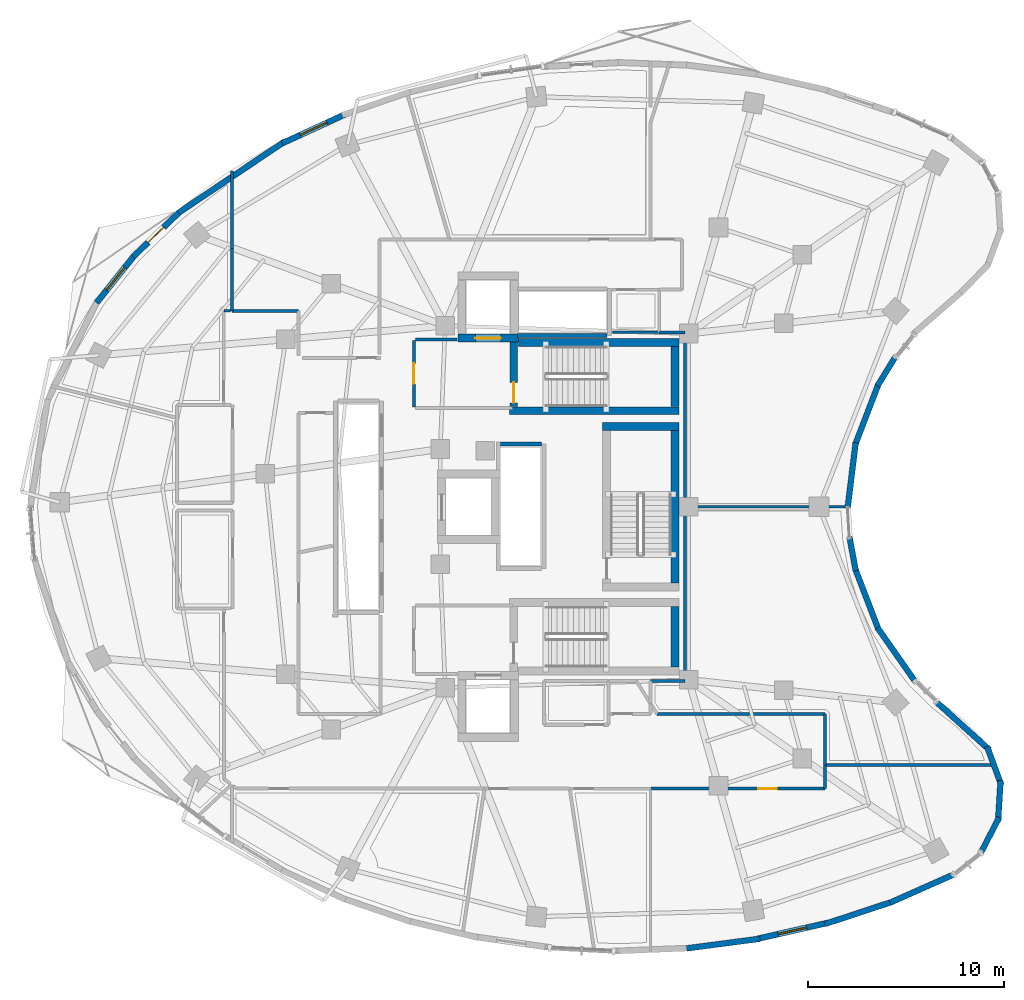
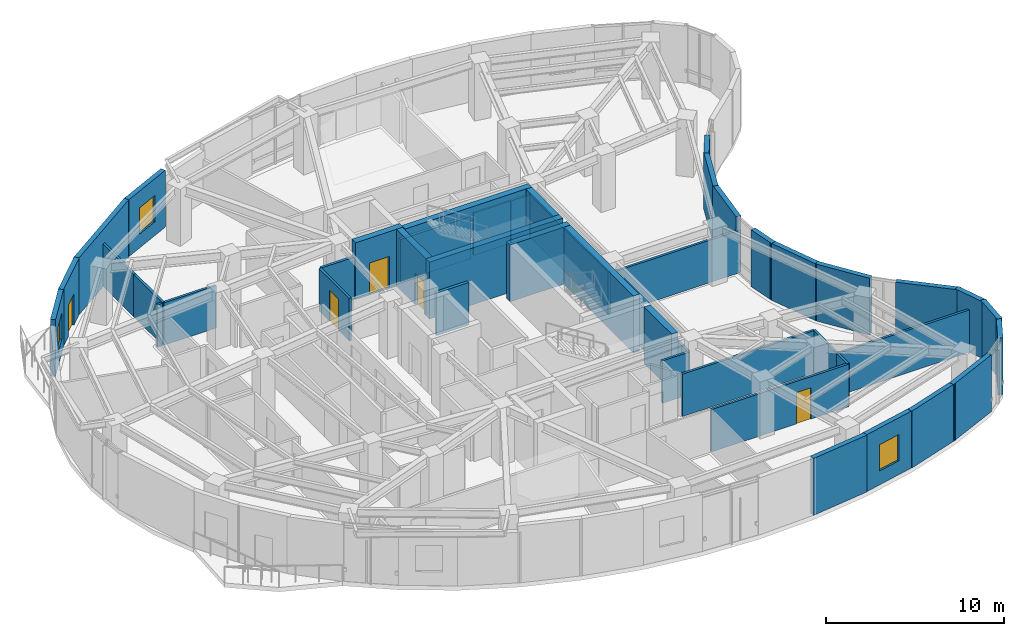
# One storey, part 10 of 15: 45 walls, 5 doors, 3 windows, 8 openings.
"""IFC4 building model written with IfcOpenShell, lengths in metres."""

from ifc_helpers import new_model, si_unit, direction, frame, frame_2d, origin, place, context, subcontext, project, spatial, rectangle, extrude, material, layer, layer_set, type_object, element, fill, save


model = new_model("IFC4")

# Units and contexts
model_context = context("Model", 3, precision=1e-05, world=origin(), true_north=direction((0.0, 1.0)))
body_context = subcontext(model_context, "Body", "Model", "MODEL_VIEW")
ifc_project = project(units=[si_unit("LENGTHUNIT", "METRE"), si_unit("AREAUNIT", "SQUARE_METRE"), si_unit("VOLUMEUNIT", "CUBIC_METRE"), si_unit("PLANEANGLEUNIT", "RADIAN"), si_unit("MASSUNIT", "GRAM", prefix="KILO")], contexts=[model_context])

# Site, building, storey
site_placement = place(None, origin())
site = spatial("IfcSite", under=ifc_project, at=site_placement, CompositionType="ELEMENT")
building_placement = place(site_placement, origin())
building = spatial("IfcBuilding", under=site, at=building_placement, Name="Korentha Bioscience Tower", CompositionType="ELEMENT")
storey_placement = place(building_placement, frame((0.0, 0.0, 235.199951171875)))
storey = spatial("IfcBuildingStorey", under=building, at=storey_placement, Name="L54", CompositionType="ELEMENT", Elevation=235.199951171875)

# Wall, opening, door
ifc_material_1 = material(Name="Double-Stud Acoustic Gypsum", Category="gypsum")
ifc_layer_1 = layer(ifc_material_1, 0.14990234375, Name="Double-Stud Acoustic Gypsum")
ifc_layer_set_1 = layer_set([ifc_layer_1], Name="Double-Stud Acoustic Gypsum (IW-L150)")
wall_type_1 = type_object("IfcWallType", Name="Acoustic Laboratory Partition Wall 150", PredefinedType="PARTITIONING", material=ifc_layer_set_1)
wall_1_placement = place(storey_placement, frame((35.60791015625, 12.590087890625, 0.0), z_axis=(0.0, 0.0, 1.0), x_axis=(1.0, 0.0, 0.0)))
wall_1 = element("IfcWall", 1, at=wall_1_placement, inside=storey, type_object=wall_type_1, Name="L54 Scientific Writing Quiet Alcove 06 Entrance Wall", PredefinedType="PARTITIONING", context=body_context, shape_type="SweptSolid", body=[
    extrude(rectangle(XDim=8.89208984375, YDim=0.14990234375, at=frame_2d((4.446044921875, 0.0))), origin(), (0.0, 0.0, 1.0), 2.91015625),
])
opening_1_placement = place(wall_1_placement, frame((5.485107421875, 0.0, 0.0)))
opening_1 = element("IfcOpeningElement", 2, at=opening_1_placement, cuts=wall_1, Name="Opening ID-10R", PredefinedType="OPENING", context=body_context, shape_type="SweptSolid", body=[
    extrude(rectangle(XDim=0.949951171875, YDim=2.14990234375, at=frame_2d((0.47509765625, 1.074951171875))), frame((0.0, 0.08984375, 0.0), z_axis=(0.0, -1.0, 0.0), x_axis=(1.0, 0.0, 0.0)), (0.0, 0.0, 1.0), 0.1796875),
])
ifc_material_2 = material(Name="Phenolic Laminate Timber Core", Category="wood")
door_type_1 = type_object("IfcDoorType", Name="Laboratory Single Leaf Door 950x2150 Right", OperationType="SINGLE_SWING_RIGHT", PredefinedType="DOOR", material=ifc_material_2)
door_1_placement = place(opening_1_placement, origin())
door_1 = element("IfcDoor", 3, at=door_1_placement, inside=storey, type_object=door_type_1, Name="L54 Scientific Writing Quiet Alcove 06 Door", OperationType="SINGLE_SWING_RIGHT", OverallHeight=2.14990234375, OverallWidth=0.949951171875, PredefinedType="DOOR", context=body_context, shape_type="SweptSolid", body=[
    extrude(rectangle(XDim=0.949951171875, YDim=2.14990234375, at=frame_2d((0.47509765625, 1.074951171875))), frame((0.0, 0.02490234375, 0.0), z_axis=(0.0, -1.0, 0.0), x_axis=(1.0, 0.0, 0.0)), (0.0, 0.0, 1.0), 0.050048828125),
])
fill(opening_1, door_1)

# Walls
wall_2_placement = place(storey_placement, frame((44.510009765625, 12.60009765625, 0.0), z_axis=(0.0, 0.0, 1.0), x_axis=(0.0, 1.0, 0.0)))
element("IfcWall", 4, at=wall_2_placement, inside=storey, type_object=wall_type_1, Name="L54 Interior Partition 044", PredefinedType="PARTITIONING", context=body_context, shape_type="SweptSolid", body=[
    extrude(rectangle(XDim=1.197998046875, YDim=0.14990234375, at=frame_2d((0.59912109375, 0.0))), origin(), (0.0, 0.0, 1.0), 2.91015625),
])
wall_3_placement = place(storey_placement, frame((44.510009765625, 13.798095703125, 0.0), z_axis=(0.0, 0.0, 1.0), x_axis=(1.0, 0.0, 0.0)))
element("IfcWall", 5, at=wall_3_placement, inside=storey, type_object=wall_type_1, Name="L54 Interior Partition 045", PredefinedType="PARTITIONING", context=body_context, shape_type="SweptSolid", body=[
    extrude(rectangle(XDim=8.744873046875, YDim=0.14990234375, at=frame_2d((4.37255859375, 0.0))), origin(), (0.0, 0.0, 1.0), 2.91015625),
])
wall_4_placement = place(storey_placement, frame((35.60205078125, 18.090087890625, 0.0), z_axis=(0.0, 0.0, 1.0), x_axis=(1.0, 0.0, 0.0)))
element("IfcWall", 6, at=wall_4_placement, inside=storey, type_object=wall_type_1, Name="L54 Interior Partition 047", PredefinedType="PARTITIONING", context=body_context, shape_type="SweptSolid", body=[
    extrude(rectangle(XDim=1.748046875, YDim=0.14990234375, at=frame_2d((0.8740234375, 0.0))), origin(), (0.0, 0.0, 1.0), 2.91015625),
])
wall_5_placement = place(storey_placement, frame((37.360107421875, 18.10009765625, 0.0), z_axis=(0.0, 0.0, 1.0), x_axis=(0.0, 1.0, 0.0)))
element("IfcWall", 7, at=wall_5_placement, inside=storey, type_object=wall_type_1, Name="L54 Interior Partition 048", PredefinedType="PARTITIONING", context=body_context, shape_type="SweptSolid", body=[
    extrude(rectangle(XDim=8.89794921875, YDim=0.14990234375, at=frame_2d((4.448974609375, 0.0))), origin(), (0.0, 0.0, 1.0), 2.91015625),
])
wall_6_placement = place(storey_placement, frame((37.360107421875, 26.998046875, 0.0), z_axis=(0.0, 0.0, 1.0), x_axis=(1.0, 0.0, 0.0)))
element("IfcWall", 8, at=wall_6_placement, inside=storey, type_object=wall_type_1, Name="L54 Interior Partition 049", PredefinedType="PARTITIONING", context=body_context, shape_type="SweptSolid", body=[
    extrude(rectangle(XDim=8.43896484375, YDim=0.14990234375, at=frame_2d((4.219482421875, 0.0))), origin(), (0.0, 0.0, 1.0), 2.91015625),
])
wall_7_placement = place(storey_placement, frame((44.510009765625, 13.80810546875, 0.0), z_axis=(0.0, 0.0, 1.0), x_axis=(0.0, 1.0, 0.0)))
element("IfcWall", 9, at=wall_7_placement, inside=storey, type_object=wall_type_1, Name="L54 Interior Partition 050", PredefinedType="PARTITIONING", context=body_context, shape_type="SweptSolid", body=[
    extrude(rectangle(XDim=2.591796875, YDim=0.14990234375, at=frame_2d((1.2958984375, 0.0))), origin(), (0.0, 0.0, 1.0), 2.91015625),
])
wall_8_placement = place(storey_placement, frame((44.5, 16.409912109375, 0.0), z_axis=(0.0, 0.0, 1.0), x_axis=(-1.0, 0.0, 0.0)))
element("IfcWall", 10, at=wall_8_placement, inside=storey, type_object=wall_type_1, Name="L54 Interior Partition 051", PredefinedType="PARTITIONING", context=body_context, shape_type="SweptSolid", body=[
    extrude(rectangle(XDim=8.570556640625, YDim=0.14990234375, at=frame_2d((4.28515625, 0.0))), origin(), (0.0, 0.0, 1.0), 2.91015625),
])
wall_9_placement = place(storey_placement, frame((37.360107421875, 27.052001953125, 0.0), z_axis=(0.0, 0.0, 1.0), x_axis=(0.0, 1.0, 0.0)))
element("IfcWall", 11, at=wall_9_placement, inside=storey, type_object=wall_type_1, Name="L54 Interior Partition 057", PredefinedType="PARTITIONING", context=body_context, shape_type="SweptSolid", body=[
    extrude(rectangle(XDim=8.847900390625, YDim=0.14990234375, at=frame_2d((4.423828125, 0.0))), origin(), (0.0, 0.0, 1.0), 2.91015625),
])
wall_10_placement = place(storey_placement, frame((37.35009765625, 35.909912109375, 0.0), z_axis=(0.0, 0.0, 1.0), x_axis=(-1.0, 0.0, 0.0)))
element("IfcWall", 12, at=wall_10_placement, inside=storey, type_object=wall_type_1, Name="L54 Interior Partition 058", PredefinedType="PARTITIONING", context=body_context, shape_type="SweptSolid", body=[
    extrude(rectangle(XDim=1.2900390625, YDim=0.14990234375, at=frame_2d((0.64501953125, 0.0))), origin(), (0.0, 0.0, 1.0), 2.91015625),
])
wall_11_placement = place(storey_placement, frame((17.60009765625, 37.010009765625, 0.0), z_axis=(0.0, 0.0, 1.0), x_axis=(-1.0, 0.0, 0.0)))
element("IfcWall", 13, at=wall_11_placement, inside=storey, type_object=wall_type_1, Name="L54 Interior Partition 067", PredefinedType="PARTITIONING", context=body_context, shape_type="SweptSolid", body=[
    extrude(rectangle(XDim=3.398193359375, YDim=0.14990234375, at=frame_2d((1.69921875, 0.0))), origin(), (0.0, 0.0, 1.0), 2.91015625),
])
wall_12_placement = place(storey_placement, frame((14.201904296875, 37.010009765625, 0.0), z_axis=(0.0, 0.0, 1.0), x_axis=(0.0, 1.0, 0.0)))
element("IfcWall", 14, at=wall_12_placement, inside=storey, type_object=wall_type_1, Name="L54 Interior Partition 068", PredefinedType="PARTITIONING", context=body_context, shape_type="SweptSolid", body=[
    extrude(rectangle(XDim=3.18798828125, YDim=0.14990234375, at=frame_2d((1.593994140625, 0.0))), origin(), (0.0, 0.0, 1.0), 2.91015625),
])
wall_13_placement = place(storey_placement, frame((14.201904296875, 40.2021484375, 0.0), z_axis=(0.0, 0.0, 1.0), x_axis=(0.0, 1.0, 0.0)))
element("IfcWall", 15, at=wall_13_placement, inside=storey, type_object=wall_type_1, Name="L54 Interior Partition 069", PredefinedType="PARTITIONING", context=body_context, shape_type="SweptSolid", body=[
    extrude(rectangle(XDim=3.950439453125, YDim=0.14990234375, at=frame_2d((1.97509765625, 0.0))), origin(), (0.0, 0.0, 1.0), 2.91015625),
])
ifc_material_3 = material(Name="Insulated Aluminium Honeycomb Panel", Category="aluminium")
ifc_layer_2 = layer(ifc_material_3, 0.139892578125, Name="Insulated Aluminium Honeycomb Panel")
ifc_layer_set_2 = layer_set([ifc_layer_2], Name="Insulated Aluminium Honeycomb Panel (IW-F60)")
wall_type_2 = type_object("IfcWallType", Name="Cleanroom Flush Metal Panel Partition 140", PredefinedType="PARTITIONING", material=ifc_layer_set_2)
wall_14_placement = place(storey_placement, frame((14.1240234375, 37.010009765625, 0.0), z_axis=(0.0, 0.0, 1.0), x_axis=(-1.0, 0.0, 0.0)))
element("IfcWall", 16, at=wall_14_placement, inside=storey, type_object=wall_type_2, Name="L54 Interior Partition 070", PredefinedType="PARTITIONING", context=body_context, shape_type="SweptSolid", body=[
    extrude(rectangle(XDim=0.323974609375, YDim=0.139892578125, at=frame_2d((0.162109375, 0.0))), origin(), (0.0, 0.0, 1.0), 2.91015625),
])

# Wall, opening, door
ifc_material_4 = material(Name="Gypsum-Clad Steel Stud", Category="steel")
ifc_layer_3 = layer(ifc_material_4, 0.159912109375, Name="Gypsum-Clad Steel Stud")
ifc_layer_set_3 = layer_set([ifc_layer_3], Name="Gypsum-Clad Steel Stud (IW-C160)")
wall_type_3 = type_object("IfcWallType", Name="Fire-Rated Corridor Partition Wall 160", PredefinedType="PARTITIONING", material=ifc_layer_set_3)
wall_15_placement = place(storey_placement, frame((23.5, 32.10009765625, 0.0), z_axis=(0.0, 0.0, 1.0), x_axis=(0.0, 1.0, 0.0)))
wall_15 = element("IfcWall", 17, at=wall_15_placement, inside=storey, type_object=wall_type_3, Name="L54 FFLN-CW Rated Enclosure Wall", PredefinedType="PARTITIONING", context=body_context, shape_type="SweptSolid", body=[
    extrude(rectangle(XDim=3.39990234375, YDim=0.159912109375, at=frame_2d((1.699951171875, 0.0))), origin(), (0.0, 0.0, 1.0), 2.91015625),
])
opening_2_placement = place(wall_15_placement, frame((1.175048828125, 0.0, 0.0)))
opening_2 = element("IfcOpeningElement", 18, at=opening_2_placement, cuts=wall_15, Name="Opening FD-90L", PredefinedType="OPENING", context=body_context, shape_type="SweptSolid", body=[
    extrude(rectangle(XDim=1.050048828125, YDim=2.14990234375, at=frame_2d((0.52490234375, 1.074951171875))), frame((0.0, 0.0947265625, 0.0), z_axis=(0.0, -1.0, 0.0), x_axis=(1.0, 0.0, 0.0)), (0.0, 0.0, 1.0), 0.189697265625),
])
ifc_material_5 = material(Name="Powder-Coated Fire-Rated Steel", Category="steel")
door_type_2 = type_object("IfcDoorType", Name="Stairwell Fire Exit Door 1050x2150 Left", OperationType="SINGLE_SWING_LEFT", PredefinedType="DOOR", material=ifc_material_5)
door_2_placement = place(opening_2_placement, origin())
door_2 = element("IfcDoor", 19, at=door_2_placement, inside=storey, type_object=door_type_2, Name="L54 North Firefighting Lobby Door", OperationType="SINGLE_SWING_LEFT", OverallHeight=2.14990234375, OverallWidth=1.050048828125, PredefinedType="DOOR", context=body_context, shape_type="SweptSolid", body=[
    extrude(rectangle(XDim=1.050048828125, YDim=2.14990234375, at=frame_2d((0.52490234375, 1.074951171875))), frame((0.0, 0.02490234375, 0.0), z_axis=(0.0, -1.0, 0.0), x_axis=(1.0, 0.0, 0.0)), (0.0, 0.0, 1.0), 0.050048828125),
])
fill(opening_2, door_2)

# Wall
wall_16_placement = place(storey_placement, frame((23.580078125, 35.550048828125, 0.0), z_axis=(0.0, 0.0, 1.0), x_axis=(1.0, 0.0, 0.0)))
element("IfcWall", 20, at=wall_16_placement, inside=storey, type_object=wall_type_3, Name="L54 Firefighting Lobby Return Wall FFLN-N", PredefinedType="PARTITIONING", context=body_context, shape_type="SweptSolid", body=[
    extrude(rectangle(XDim=2.119873046875, YDim=0.159912109375, at=frame_2d((1.06005859375, 0.0))), origin(), (0.0, 0.0, 1.0), 2.91015625),
])

# Wall, opening, window
ifc_material_6 = material(Name="Honed Limestone Precast Concrete C40", Category="masonry")
ifc_layer_4 = layer(ifc_material_6, 0.300048828125, Name="Honed Limestone Precast Concrete C40")
ifc_layer_set_4 = layer_set([ifc_layer_4], Name="Honed Limestone Precast Concrete C40 (EW-ST300)")
wall_type_4 = type_object("IfcWallType", Name="Honed Limestone Cavity Spandrel Wall 300", PredefinedType="STANDARD", material=ifc_layer_set_4)
wall_17_placement = place(storey_placement, frame((19.989990234375, 47.050537109375, 0.0), z_axis=(0.0, 0.0, 1.0), x_axis=(-0.908478431596, -0.41793174003, 0.0)))
wall_17 = element("IfcWall", 21, at=wall_17_placement, inside=storey, type_object=wall_type_4, Name="L54 Honed Limestone Spandrel Wall 10", PredefinedType="STANDARD", context=body_context, shape_type="SweptSolid", body=[
    extrude(rectangle(XDim=3.547119140625, YDim=0.300048828125, at=frame_2d((1.7734375, 0.0))), origin(), (0.0, 0.0, 1.0), 3.900146484375),
])
opening_3_placement = place(wall_17_placement, frame((1.0234375, 0.0, 0.949951171875)))
opening_3 = element("IfcOpeningElement", 22, at=opening_3_placement, cuts=wall_17, Name="Opening WN-02", PredefinedType="OPENING", context=body_context, shape_type="SweptSolid", body=[
    extrude(rectangle(XDim=1.5, YDim=1.800048828125, at=frame_2d((0.75, 0.89990234375))), frame((0.0, 0.1650390625, 0.0), z_axis=(0.0, -1.0, 0.0), x_axis=(1.0, 0.0, 0.0)), (0.0, 0.0, 1.0), 0.329833984375),
])
ifc_material_7 = material(Name="Thermally Broken Aluminium Triple Glazing", Category="aluminium")
window_type = type_object("IfcWindowType", Name="Acoustic Operable Office Window 1500x1800", PartitioningType="DOUBLE_PANEL_VERTICAL", PredefinedType="WINDOW", material=ifc_material_7)
window_1_placement = place(opening_3_placement, origin())
window_1 = element("IfcWindow", 23, at=window_1_placement, inside=storey, type_object=window_type, Name="L54 Facade Window 10", OverallHeight=1.800048828125, OverallWidth=1.5, PartitioningType="DOUBLE_PANEL_VERTICAL", PredefinedType="WINDOW", context=body_context, shape_type="SweptSolid", body=[
    extrude(rectangle(XDim=1.5, YDim=1.800048828125, at=frame_2d((0.75, 0.89990234375))), frame((0.0, 0.030029296875, 0.0), z_axis=(0.0, -1.0, 0.0), x_axis=(1.0, 0.0, 0.0)), (0.0, 0.0, 1.0), 0.06005859375),
])
fill(opening_3, window_1)

# Wall, opening, door
wall_18_placement = place(storey_placement, frame((11.476806640625, 42.014404296875, 0.0), z_axis=(0.0, 0.0, 1.0), x_axis=(-0.718959481813, -0.695051986194, 0.0)))
wall_18 = element("IfcWall", 24, at=wall_18_placement, inside=storey, type_object=wall_type_4, Name="L54 Balcony Threshold Wall 02", PredefinedType="STANDARD", context=body_context, shape_type="SweptSolid", body=[
    extrude(rectangle(XDim=3.237060546875, YDim=0.300048828125, at=frame_2d((1.61865234375, 0.0))), origin(), (0.0, 0.0, 1.0), 3.900146484375),
])
opening_4_placement = place(wall_18_placement, frame((1.068603515625, 0.0, 0.0)))
opening_4 = element("IfcOpeningElement", 25, at=opening_4_placement, cuts=wall_18, Name="Opening BD-11R", PredefinedType="OPENING", context=body_context, shape_type="SweptSolid", body=[
    extrude(rectangle(XDim=1.10009765625, YDim=2.14990234375, at=frame_2d((0.550048828125, 1.074951171875))), frame((0.0, 0.1650390625, 0.0), z_axis=(0.0, -1.0, 0.0), x_axis=(1.0, 0.0, 0.0)), (0.0, 0.0, 1.0), 0.329833984375),
])
ifc_material_8 = material(Name="Thermally Broken Glazed Aluminium", Category="aluminium")
door_type_3 = type_object("IfcDoorType", Name="Balcony Terrace Glazed Door 1100x2150 Right", OperationType="SINGLE_SWING_RIGHT", PredefinedType="DOOR", material=ifc_material_8)
door_3_placement = place(opening_4_placement, origin())
door_3 = element("IfcDoor", 26, at=door_3_placement, inside=storey, type_object=door_type_3, Name="L54 Balcony Access Door 02", OperationType="SINGLE_SWING_RIGHT", OverallHeight=2.14990234375, OverallWidth=1.10009765625, PredefinedType="DOOR", context=body_context, shape_type="SweptSolid", body=[
    extrude(rectangle(XDim=1.10009765625, YDim=2.14990234375, at=frame_2d((0.550048828125, 1.074951171875))), frame((0.0, 0.02490234375, 0.0), z_axis=(0.0, -1.0, 0.0), x_axis=(1.0, 0.0, 0.0)), (0.0, 0.0, 1.0), 0.050048828125),
])
fill(opening_4, door_3)

# Wall, opening, window
wall_19_placement = place(storey_placement, frame((9.243896484375, 39.8681640625, 0.0), z_axis=(0.0, 0.0, 1.0), x_axis=(-0.624095877763, -0.781347768512, 0.0)))
wall_19 = element("IfcWall", 27, at=wall_19_placement, inside=storey, type_object=wall_type_4, Name="L54 Honed Limestone Spandrel Wall 14", PredefinedType="STANDARD", context=body_context, shape_type="SweptSolid", body=[
    extrude(rectangle(XDim=3.131591796875, YDim=0.300048828125, at=frame_2d((1.56591796875, 0.0))), origin(), (0.0, 0.0, 1.0), 3.900146484375),
])
opening_5_placement = place(wall_19_placement, frame((0.815673828125, 0.0, 0.949951171875)))
opening_5 = element("IfcOpeningElement", 28, at=opening_5_placement, cuts=wall_19, Name="Opening WN-02", PredefinedType="OPENING", context=body_context, shape_type="SweptSolid", body=[
    extrude(rectangle(XDim=1.5, YDim=1.800048828125, at=frame_2d((0.75, 0.89990234375))), frame((0.0, 0.1650390625, 0.0), z_axis=(0.0, -1.0, 0.0), x_axis=(1.0, 0.0, 0.0)), (0.0, 0.0, 1.0), 0.329833984375),
])
window_2_placement = place(opening_5_placement, origin())
window_2 = element("IfcWindow", 29, at=window_2_placement, inside=storey, type_object=window_type, Name="L54 Facade Window 14", OverallHeight=1.800048828125, OverallWidth=1.5, PartitioningType="DOUBLE_PANEL_VERTICAL", PredefinedType="WINDOW", context=body_context, shape_type="SweptSolid", body=[
    extrude(rectangle(XDim=1.5, YDim=1.800048828125, at=frame_2d((0.75, 0.89990234375))), frame((0.0, 0.030029296875, 0.0), z_axis=(0.0, -1.0, 0.0), x_axis=(1.0, 0.0, 0.0)), (0.0, 0.0, 1.0), 0.06005859375),
])
fill(opening_5, window_2)

wall_20_placement = place(storey_placement, frame((41.03564453125, 4.913818359375, 0.0), z_axis=(0.0, 0.0, 1.0), x_axis=(0.975237678872, 0.221159376263, 0.0)))
wall_20 = element("IfcWall", 30, at=wall_20_placement, inside=storey, type_object=wall_type_4, Name="L54 Honed Limestone Spandrel Wall 34", PredefinedType="STANDARD", context=body_context, shape_type="SweptSolid", body=[
    extrude(rectangle(XDim=3.70263671875, YDim=0.300048828125, at=frame_2d((1.851318359375, 0.0))), origin(), (0.0, 0.0, 1.0), 3.900146484375),
])
opening_6_placement = place(wall_20_placement, frame((1.101318359375, 0.0, 0.949951171875)))
opening_6 = element("IfcOpeningElement", 31, at=opening_6_placement, cuts=wall_20, Name="Opening WN-02", PredefinedType="OPENING", context=body_context, shape_type="SweptSolid", body=[
    extrude(rectangle(XDim=1.5, YDim=1.800048828125, at=frame_2d((0.75, 0.89990234375))), frame((0.0, 0.1650390625, 0.0), z_axis=(0.0, -1.0, 0.0), x_axis=(1.0, 0.0, 0.0)), (0.0, 0.0, 1.0), 0.329833984375),
])
window_3_placement = place(opening_6_placement, origin())
window_3 = element("IfcWindow", 32, at=window_3_placement, inside=storey, type_object=window_type, Name="L54 Facade Window 34", OverallHeight=1.800048828125, OverallWidth=1.5, PartitioningType="DOUBLE_PANEL_VERTICAL", PredefinedType="WINDOW", context=body_context, shape_type="SweptSolid", body=[
    extrude(rectangle(XDim=1.5, YDim=1.800048828125, at=frame_2d((0.75, 0.89990234375))), frame((0.0, 0.030029296875, 0.0), z_axis=(0.0, -1.0, 0.0), x_axis=(1.0, 0.0, 0.0)), (0.0, 0.0, 1.0), 0.06005859375),
])
fill(opening_6, window_3)

# Walls
wall_21_placement = place(storey_placement, frame((16.89990234375, 45.6669921875, 0.0), z_axis=(0.0, 0.0, 1.0), x_axis=(-0.829994558021, -0.557771488743, 0.0)))
element("IfcWall", 33, at=wall_21_placement, inside=storey, type_object=wall_type_4, Name="L54 Limestone Perimeter Closure Wall 11", PredefinedType="STANDARD", context=body_context, shape_type="SweptSolid", body=[
    extrude(rectangle(XDim=6.70556640625, YDim=0.300048828125, at=frame_2d((3.352783203125, 0.0))), origin(), (0.0, 0.0, 1.0), 3.900146484375),
])
wall_22_placement = place(storey_placement, frame((37.43701171875, 4.427978515625, 0.0), z_axis=(0.0, 0.0, 1.0), x_axis=(0.991512801574, 0.130009093201, 0.0)))
element("IfcWall", 34, at=wall_22_placement, inside=storey, type_object=wall_type_4, Name="L54 Limestone Perimeter Closure Wall 33", PredefinedType="STANDARD", context=body_context, shape_type="SweptSolid", body=[
    extrude(rectangle(XDim=3.785888671875, YDim=0.300048828125, at=frame_2d((1.89306640625, 0.0))), origin(), (0.0, 0.0, 1.0), 3.900146484375),
])
wall_23_placement = place(storey_placement, frame((44.503662109375, 5.67138671875, 0.0), z_axis=(0.0, 0.0, 1.0), x_axis=(0.94972655205, 0.313080622734, 0.0)))
element("IfcWall", 35, at=wall_23_placement, inside=storey, type_object=wall_type_4, Name="L54 Limestone Perimeter Closure Wall 35", PredefinedType="STANDARD", context=body_context, shape_type="SweptSolid", body=[
    extrude(rectangle(XDim=3.67919921875, YDim=0.300048828125, at=frame_2d((1.839599609375, 0.0))), origin(), (0.0, 0.0, 1.0), 3.900146484375),
])
wall_24_placement = place(storey_placement, frame((47.835693359375, 6.7607421875, 0.0), z_axis=(0.0, 0.0, 1.0), x_axis=(0.913940198441, 0.405848880341, 0.0)))
element("IfcWall", 36, at=wall_24_placement, inside=storey, type_object=wall_type_4, Name="L54 Limestone Perimeter Closure Wall 36", PredefinedType="STANDARD", context=body_context, shape_type="SweptSolid", body=[
    extrude(rectangle(XDim=3.598388671875, YDim=0.300048828125, at=frame_2d((1.79931640625, 0.0))), origin(), (0.0, 0.0, 1.0), 3.900146484375),
])
wall_25_placement = place(storey_placement, frame((52.451904296875, 9.2646484375, 0.0), z_axis=(0.0, 0.0, 1.0), x_axis=(0.459683297138, 0.888082916361, 0.0)))
element("IfcWall", 37, at=wall_25_placement, inside=storey, type_object=wall_type_4, Name="L54 Limestone Perimeter Closure Wall 38", PredefinedType="STANDARD", context=body_context, shape_type="SweptSolid", body=[
    extrude(rectangle(XDim=2.091552734375, YDim=0.300048828125, at=frame_2d((1.0458984375, 0.0))), origin(), (0.0, 0.0, 1.0), 3.900146484375),
])
for number, where, z_axis, x_axis, name in (
    (38, (53.356201171875, 10.915283203125, 0.0), (0.0, 0.0, 1.0), (0.06186954965, 0.998084244353, 0.0), "L54 Limestone Perimeter Closure Wall 39"),
    (39, (53.516845703125, 12.790771484375, 0.0), (0.0, 0.0, 1.0), (-0.346359858312, 0.93810172612, 0.0), "L54 Limestone Perimeter Closure Wall 40"),
):
    element("IfcWall", number, at=place(storey_placement, frame(where, z_axis=z_axis, x_axis=x_axis)), inside=storey, type_object=wall_type_4, Name=name, PredefinedType="STANDARD", context=body_context, shape_type="SweptSolid", body=[
        extrude(rectangle(XDim=2.09130859375, YDim=0.300048828125, at=frame_2d((1.045654296875, 0.0))), origin(), (0.0, 0.0, 1.0), 3.900146484375),
    ])
wall_26_placement = place(storey_placement, frame((52.9169921875, 14.568603515625, 0.0), z_axis=(0.0, 0.0, 1.0), x_axis=(-0.742037796493, 0.670358045059, 0.0)))
element("IfcWall", 40, at=wall_26_placement, inside=storey, type_object=wall_type_4, Name="L54 Limestone Perimeter Closure Wall 41", PredefinedType="STANDARD", context=body_context, shape_type="SweptSolid", body=[
    extrude(rectangle(XDim=3.685302734375, YDim=0.300048828125, at=frame_2d((1.8427734375, 0.0))), origin(), (0.0, 0.0, 1.0), 3.900146484375),
])
wall_27_placement = place(storey_placement, frame((49.123046875, 18.0673828125, 0.0), z_axis=(0.0, 0.0, 1.0), x_axis=(-0.573598849051, 0.819136350291, 0.0)))
element("IfcWall", 41, at=wall_27_placement, inside=storey, type_object=wall_type_4, Name="L54 Limestone Perimeter Closure Wall 44", PredefinedType="STANDARD", context=body_context, shape_type="SweptSolid", body=[
    extrude(rectangle(XDim=3.36083984375, YDim=0.300048828125, at=frame_2d((1.680419921875, 0.0))), origin(), (0.0, 0.0, 1.0), 3.900146484375),
])
wall_28_placement = place(storey_placement, frame((47.25390625, 20.710205078125, 0.0), z_axis=(0.0, 0.0, 1.0), x_axis=(-0.358365624917, 0.933581318835, 0.0)))
element("IfcWall", 42, at=wall_28_placement, inside=storey, type_object=wall_type_4, Name="L54 Limestone Perimeter Closure Wall 46", PredefinedType="STANDARD", context=body_context, shape_type="SweptSolid", body=[
    extrude(rectangle(XDim=3.360595703125, YDim=0.300048828125, at=frame_2d((1.68017578125, 0.0))), origin(), (0.0, 0.0, 1.0), 3.900146484375),
])
wall_29_placement = place(storey_placement, frame((46.0859375, 23.718994140625, 0.0), z_axis=(0.0, 0.0, 1.0), x_axis=(-0.182198328631, 0.983261800867, 0.0)))
element("IfcWall", 43, at=wall_29_placement, inside=storey, type_object=wall_type_4, Name="L54 Limestone Perimeter Closure Wall 48", PredefinedType="STANDARD", context=body_context, shape_type="SweptSolid", body=[
    extrude(rectangle(XDim=1.763427734375, YDim=0.300048828125, at=frame_2d((0.8818359375, 0.0))), origin(), (0.0, 0.0, 1.0), 3.900146484375),
])
for number, where, z_axis, x_axis, name in (
    (44, (45.67041015625, 26.937744140625, 0.0), (0.0, 0.0, 1.0), (0.121834797873, 0.992550392689, 0.0), "L54 Limestone Perimeter Closure Wall 50"),
    (45, (46.049560546875, 30.15234375, 0.0), (0.0, 0.0, 1.0), (0.358365624917, 0.933581318835, 0.0), "L54 Limestone Perimeter Closure Wall 52"),
):
    element("IfcWall", number, at=place(storey_placement, frame(where, z_axis=z_axis, x_axis=x_axis)), inside=storey, type_object=wall_type_4, Name=name, PredefinedType="STANDARD", context=body_context, shape_type="SweptSolid", body=[
        extrude(rectangle(XDim=3.360595703125, YDim=0.300048828125, at=frame_2d((1.68017578125, 0.0))), origin(), (0.0, 0.0, 1.0), 3.900146484375),
    ])
wall_30_placement = place(storey_placement, frame((47.19482421875, 33.169921875, 0.0), z_axis=(0.0, 0.0, 1.0), x_axis=(0.522536083939, 0.852617171409, 0.0)))
element("IfcWall", 46, at=wall_30_placement, inside=storey, type_object=wall_type_4, Name="L54 Limestone Perimeter Closure Wall 54", PredefinedType="STANDARD", context=body_context, shape_type="SweptSolid", body=[
    extrude(rectangle(XDim=1.76318359375, YDim=0.300048828125, at=frame_2d((0.881591796875, 0.0))), origin(), (0.0, 0.0, 1.0), 3.900146484375),
])
ifc_material_9 = material(Name="Autoclaved Aerated Concrete Block C25", Category="concrete")
ifc_layer_5 = layer(ifc_material_9, 0.199951171875, Name="Autoclaved Aerated Concrete Block C25")
ifc_layer_set_5 = layer_set([ifc_layer_5], Name="Autoclaved Aerated Concrete Block C25 (IW-S200)")
wall_type_5 = type_object("IfcWallType", Name="Lift and Riser Shaft Enclosure Wall 200", PredefinedType="PARTITIONING", material=ifc_layer_set_5)
wall_31_placement = place(storey_placement, frame((27.93408203125, 30.199951171875, 0.0), z_axis=(0.0, 0.0, 1.0), x_axis=(1.0, 0.0, 0.0)))
element("IfcWall", 47, at=wall_31_placement, inside=storey, type_object=wall_type_5, Name="L54 Lift Bank HIGH Shaft Wall +Y", PredefinedType="PARTITIONING", context=body_context, shape_type="SweptSolid", body=[
    extrude(rectangle(XDim=2.095947265625, YDim=0.199951171875, at=frame_2d((1.0478515625, 0.0))), origin(), (0.0, 0.0, 1.0), 2.91015625),
])
wall_32_placement = place(storey_placement, frame((28.800048828125, 35.760009765625, 0.0), z_axis=(0.0, 0.0, 1.0), x_axis=(1.0, 0.0, 0.0)))
element("IfcWall", 48, at=wall_32_placement, inside=storey, type_object=wall_type_5, Name="L54 Lift Bank OBS Shaft Wall -Y", PredefinedType="PARTITIONING", context=body_context, shape_type="SweptSolid", body=[
    extrude(rectangle(XDim=4.570068359375, YDim=0.199951171875, at=frame_2d((2.28515625, 0.0))), origin(), (0.0, 0.0, 1.0), 2.91015625),
])
ifc_material_10 = material(Name="Concrete C65", Category="concrete")
ifc_layer_6 = layer(ifc_material_10, 0.39990234375, Name="Concrete C65")
ifc_layer_set_6 = layer_set([ifc_layer_6], Name="Concrete C65 (CW-C65)")
wall_type_6 = type_object("IfcWallType", Name="Mid-Rise Core Shear Wall 400", PredefinedType="SHEAR", material=ifc_layer_set_6)
wall_33_placement = place(storey_placement, frame((28.85205078125, 35.39990234375, 0.0), z_axis=(0.0, 0.0, 1.0), x_axis=(1.0, 0.0, 0.0)))
element("IfcWall", 49, at=wall_33_placement, inside=storey, type_object=wall_type_6, Name="L54 Core Shear Wall ST1-N", PredefinedType="SHEAR", context=body_context, shape_type="SweptSolid", body=[
    extrude(rectangle(XDim=8.197998046875, YDim=0.39990234375, at=frame_2d((4.09912109375, 0.0))), origin(), (0.0, 0.0, 1.0), 3.900146484375),
])
wall_34_placement = place(storey_placement, frame((28.39990234375, 31.89990234375, 0.0), z_axis=(0.0, 0.0, 1.0), x_axis=(1.0, 0.0, 0.0)))
element("IfcWall", 50, at=wall_34_placement, inside=storey, type_object=wall_type_6, Name="L54 Core Shear Wall ST1-S", PredefinedType="SHEAR", context=body_context, shape_type="SweptSolid", body=[
    extrude(rectangle(XDim=8.650146484375, YDim=0.39990234375, at=frame_2d((4.3251953125, 0.0))), origin(), (0.0, 0.0, 1.0), 3.900146484375),
])
wall_35_placement = place(storey_placement, frame((36.85009765625, 32.110107421875, 0.0), z_axis=(0.0, 0.0, 1.0), x_axis=(0.0, 1.0, 0.0)))
element("IfcWall", 51, at=wall_35_placement, inside=storey, type_object=wall_type_6, Name="L54 Core Shear Wall ST1-E", PredefinedType="SHEAR", context=body_context, shape_type="SweptSolid", body=[
    extrude(rectangle(XDim=3.079833984375, YDim=0.39990234375, at=frame_2d((1.5400390625, 0.0))), origin(), (0.0, 0.0, 1.0), 3.900146484375),
])

# Wall, opening, door
wall_36_placement = place(storey_placement, frame((28.60009765625, 32.110107421875, 0.0), z_axis=(0.0, 0.0, 1.0), x_axis=(0.0, 1.0, 0.0)))
wall_36 = element("IfcWall", 52, at=wall_36_placement, inside=storey, type_object=wall_type_6, Name="L54 Core Shear Wall ST1-W", PredefinedType="SHEAR", context=body_context, shape_type="SweptSolid", body=[
    extrude(rectangle(XDim=3.307861328125, YDim=0.39990234375, at=frame_2d((1.65380859375, 0.0))), origin(), (0.0, 0.0, 1.0), 3.900146484375),
])
opening_7_placement = place(wall_36_placement, frame((0.199951171875, 0.0, 0.0)))
opening_7 = element("IfcOpeningElement", 53, at=opening_7_placement, cuts=wall_36, Name="Opening FD-90L", PredefinedType="OPENING", context=body_context, shape_type="SweptSolid", body=[
    extrude(rectangle(XDim=1.050048828125, YDim=2.14990234375, at=frame_2d((0.52490234375, 1.074951171875))), frame((0.0, 0.21484375, 0.0), z_axis=(0.0, -1.0, 0.0), x_axis=(1.0, 0.0, 0.0)), (0.0, 0.0, 1.0), 0.4296875),
])
door_4_placement = place(opening_7_placement, origin())
door_4 = element("IfcDoor", 54, at=door_4_placement, inside=storey, type_object=door_type_2, Name="L54 ST-1 Fire Exit Stair Door", OperationType="SINGLE_SWING_LEFT", OverallHeight=2.14990234375, OverallWidth=1.050048828125, PredefinedType="DOOR", context=body_context, shape_type="SweptSolid", body=[
    extrude(rectangle(XDim=1.050048828125, YDim=2.14990234375, at=frame_2d((0.52490234375, 1.074951171875))), frame((0.0, 0.02490234375, 0.0), z_axis=(0.0, -1.0, 0.0), x_axis=(1.0, 0.0, 0.0)), (0.0, 0.0, 1.0), 0.050048828125),
])
fill(opening_7, door_4)

# Walls
wall_37_placement = place(storey_placement, frame((36.85009765625, 18.81005859375, 0.0), z_axis=(0.0, 0.0, 1.0), x_axis=(0.0, 1.0, 0.0)))
element("IfcWall", 55, at=wall_37_placement, inside=storey, type_object=wall_type_6, Name="L54 Core Shear Wall ST2-E", PredefinedType="SHEAR", context=body_context, shape_type="SweptSolid", body=[
    extrude(rectangle(XDim=3.079833984375, YDim=0.39990234375, at=frame_2d((1.5400390625, 0.0))), origin(), (0.0, 0.0, 1.0), 3.900146484375),
])
wall_38_placement = place(storey_placement, frame((33.14990234375, 31.10009765625, 0.0), z_axis=(0.0, 0.0, 1.0), x_axis=(1.0, 0.0, 0.0)))
element("IfcWall", 56, at=wall_38_placement, inside=storey, type_object=wall_type_6, Name="L54 Core Shear Wall ST3-N", PredefinedType="SHEAR", context=body_context, shape_type="SweptSolid", body=[
    extrude(rectangle(XDim=3.900146484375, YDim=0.39990234375, at=frame_2d((1.9501953125, 0.0))), origin(), (0.0, 0.0, 1.0), 3.900146484375),
])
wall_39_placement = place(storey_placement, frame((36.85009765625, 23.110107421875, 0.0), z_axis=(0.0, 0.0, 1.0), x_axis=(0.0, 1.0, 0.0)))
element("IfcWall", 57, at=wall_39_placement, inside=storey, type_object=wall_type_6, Name="L54 Core Shear Wall ST3-E", PredefinedType="SHEAR", context=body_context, shape_type="SweptSolid", body=[
    extrude(rectangle(XDim=7.77978515625, YDim=0.39990234375, at=frame_2d((3.889892578125, 0.0))), origin(), (0.0, 0.0, 1.0), 3.900146484375),
])

# Wall, opening, door
wall_40_placement = place(storey_placement, frame((25.75, 35.6201171875, 0.0), z_axis=(0.0, 0.0, 1.0), x_axis=(1.0, 0.0, 0.0)))
wall_40 = element("IfcWall", 58, at=wall_40_placement, inside=storey, type_object=wall_type_6, Name="L54 Core Shear Wall FFL2-S", PredefinedType="SHEAR", context=body_context, shape_type="SweptSolid", body=[
    extrude(rectangle(XDim=3.10009765625, YDim=0.39990234375, at=frame_2d((1.550048828125, 0.0))), origin(), (0.0, 0.0, 1.0), 3.900146484375),
])
opening_8_placement = place(wall_40_placement, frame((0.89990234375, 0.0, 0.0)))
opening_8 = element("IfcOpeningElement", 59, at=opening_8_placement, cuts=wall_40, Name="Opening LD-13", PredefinedType="OPENING", context=body_context, shape_type="SweptSolid", body=[
    extrude(rectangle(XDim=1.300048828125, YDim=2.199951171875, at=frame_2d((0.64990234375, 1.10009765625))), frame((0.0, 0.21484375, 0.0), z_axis=(0.0, -1.0, 0.0), x_axis=(1.0, 0.0, 0.0)), (0.0, 0.0, 1.0), 0.4296875),
])
ifc_material_11 = material(Name="Brushed Stainless Steel 316", Category="steel")
door_type_4 = type_object("IfcDoorType", Name="Service & Firefighting Lift Landing Door 1300x2300", OperationType="DOUBLE_DOOR_SLIDING", PredefinedType="DOOR", material=ifc_material_11)
door_5_placement = place(opening_8_placement, origin())
door_5 = element("IfcDoor", 60, at=door_5_placement, inside=storey, type_object=door_type_4, Name="L54 FFL-2 Sliding Lift Landing Door", OperationType="DOUBLE_DOOR_SLIDING", OverallHeight=2.199951171875, OverallWidth=1.300048828125, PredefinedType="DOOR", context=body_context, shape_type="SweptSolid", body=[
    extrude(rectangle(XDim=1.300048828125, YDim=2.199951171875, at=frame_2d((0.64990234375, 1.10009765625))), frame((0.0, 0.02490234375, 0.0), z_axis=(0.0, -1.0, 0.0), x_axis=(1.0, 0.0, 0.0)), (0.0, 0.0, 1.0), 0.050048828125),
])
fill(opening_8, door_5)

# Wall
ifc_material_12 = material(Name="Cement-Board Steel Stud", Category="steel")
ifc_layer_7 = layer(ifc_material_12, 0.1298828125, Name="Cement-Board Steel Stud")
ifc_layer_set_7 = layer_set([ifc_layer_7], Name="Cement-Board Steel Stud (IW-W130)")
wall_type_7 = type_object("IfcWallType", Name="Wet-Area Moisture-Resistant Partition 130", PredefinedType="PARTITIONING", material=ifc_layer_set_7)
wall_41_placement = place(storey_placement, frame((36.050048828125, 35.909912109375, 0.0), z_axis=(0.0, 0.0, 1.0), x_axis=(-1.0, 0.0, 0.0)))
element("IfcWall", 61, at=wall_41_placement, inside=storey, type_object=wall_type_7, Name="L54 Interior Partition 022", PredefinedType="PARTITIONING", context=body_context, shape_type="SweptSolid", body=[
    extrude(rectangle(XDim=2.400146484375, YDim=0.1298828125, at=frame_2d((1.2001953125, 0.0))), origin(), (0.0, 0.0, 1.0), 2.91015625),
])

save(model, "model.ifc")
